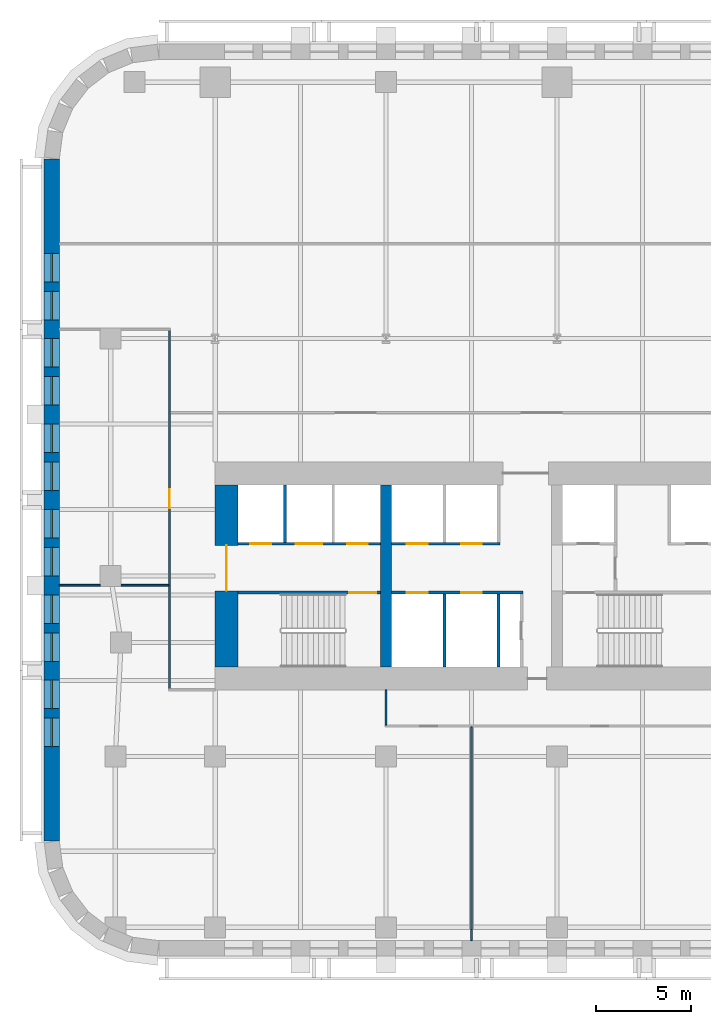
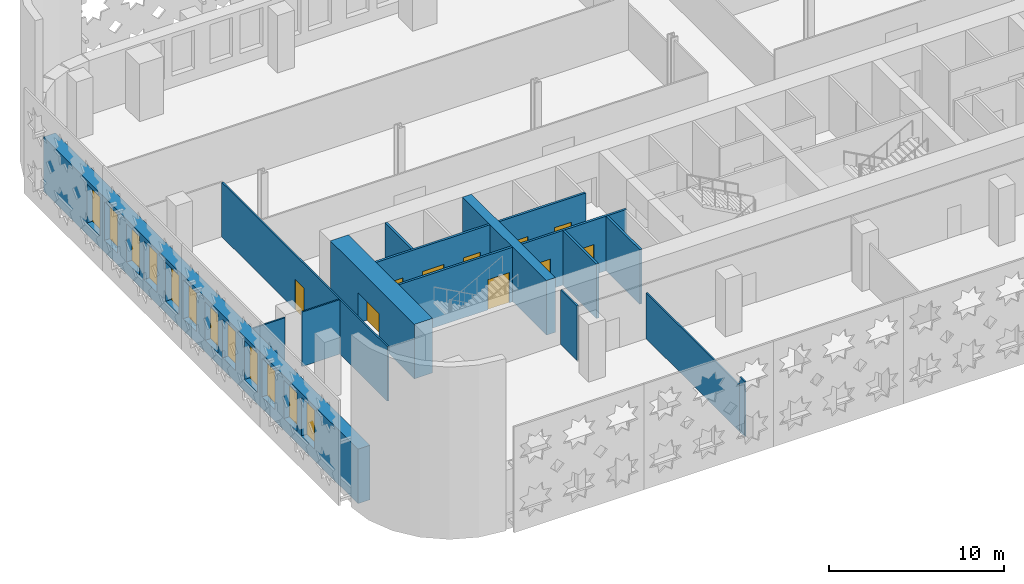
# One storey, part 3 of 15: 16 walls, 12 windows, 10 doors, 22 openings.
"""IFC4 building model written with IfcOpenShell, lengths in metres."""

from ifc_helpers import new_model, si_unit, direction, frame, frame_2d, origin, place, context, subcontext, project, spatial, rectangle, extrude, material, layer, layer_set, type_object, element, fill, save


model = new_model("IFC4")

# Units and contexts
model_context = context("Model", 3, precision=1e-05, world=origin(), true_north=direction((0.0, 1.0)))
body_context = subcontext(model_context, "Body", "Model", "MODEL_VIEW")
ifc_project = project(units=[si_unit("LENGTHUNIT", "METRE"), si_unit("AREAUNIT", "SQUARE_METRE"), si_unit("VOLUMEUNIT", "CUBIC_METRE"), si_unit("PLANEANGLEUNIT", "RADIAN"), si_unit("MASSUNIT", "GRAM", prefix="KILO")], contexts=[model_context])

# Site, building, storey
site_placement = place(None, origin())
site = spatial("IfcSite", under=ifc_project, at=site_placement, CompositionType="ELEMENT")
building_placement = place(site_placement, origin())
building = spatial("IfcBuilding", under=site, at=building_placement, Name="Zellij Exchange Tower", CompositionType="ELEMENT")
storey_placement = place(building_placement, frame((0.0, 0.0, 76.5)))
storey = spatial("IfcBuildingStorey", under=building, at=storey_placement, Name="L15", CompositionType="ELEMENT", Elevation=76.5)

# Walls
ifc_material_1 = material(Name="Concrete C70/85", Category="concrete")
ifc_layer_1 = layer(ifc_material_1, 0.60009765625)
ifc_layer_set_1 = layer_set([ifc_layer_1], Name="Concrete C70/85")
wall_type_1 = type_object("IfcWallType", Name="CORE-CW 600 C70/85", PredefinedType="SHEAR", material=ifc_layer_set_1)
wall_1_placement = place(storey_placement, frame((-18.0, -12.800048828125, 0.0), z_axis=(0.0, 0.0, 1.0), x_axis=(0.0, 1.0, 0.0)))
element("IfcWall", 1, at=wall_1_placement, inside=storey, type_object=wall_type_1, Name="Core cross wall x -18 L15", PredefinedType="SHEAR", context=body_context, shape_type="SweptSolid", body=[
    extrude(rectangle(XDim=9.60009765625, YDim=0.60009765625, at=frame_2d((4.800048828125, 0.0))), origin(), (0.0, 0.0, 1.0), 3.800048828125),
])
ifc_material_2 = material(Name="Gypsum shaft wall system")
ifc_layer_2 = layer(ifc_material_2, 0.14990234375)
ifc_layer_set_2 = layer_set([ifc_layer_2], Name="Gypsum shaft wall system")
wall_type_2 = type_object("IfcWallType", Name="CORE-PW 150 Lift shaft wall", PredefinedType="PARTITIONING", material=ifc_layer_set_2)
wall_2_placement = place(storey_placement, frame((-23.324951171875, -6.22509765625, 0.0), z_axis=(0.0, 0.0, 1.0), x_axis=(0.0, 1.0, 0.0)))
element("IfcWall", 2, at=wall_2_placement, inside=storey, type_object=wall_type_2, Name="Lift shaft wall L15", PredefinedType="PARTITIONING", context=body_context, shape_type="SweptSolid", body=[
    extrude(rectangle(XDim=3.025146484375, YDim=0.14990234375, at=frame_2d((1.5126953125, 0.0))), origin(), (0.0, 0.0, 1.0), 3.800048828125),
])
for number, where, z_axis, x_axis, name in (
    (3, (-12.074951171875, -12.800048828125, 0.0), (0.0, 0.0, 1.0), (0.0, 1.0, 0.0), "Lift shaft wall L15"),
    (4, (-14.925048828125, -12.800048828125, 0.0), (0.0, 0.0, 1.0), (0.0, 1.0, 0.0), "Lift shaft wall L15"),
):
    element("IfcWall", number, at=place(storey_placement, frame(where, z_axis=z_axis, x_axis=x_axis)), inside=storey, type_object=wall_type_2, Name=name, PredefinedType="PARTITIONING", context=body_context, shape_type="SweptSolid", body=[
        extrude(rectangle(XDim=3.85009765625, YDim=0.14990234375, at=frame_2d((1.925048828125, 0.0))), origin(), (0.0, 0.0, 1.0), 3.800048828125),
    ])

# Wall, openings, doors
wall_3_placement = place(storey_placement, frame((-25.800048828125, -6.300048828125, 0.0), z_axis=(0.0, 0.0, 1.0), x_axis=(1.0, 0.0, 0.0)))
wall_3 = element("IfcWall", 5, at=wall_3_placement, inside=storey, type_object=wall_type_2, Name="Lift shaft wall L15", PredefinedType="PARTITIONING", context=body_context, shape_type="SweptSolid", body=[
    extrude(rectangle(XDim=7.5, YDim=0.14990234375, at=frame_2d((3.75, 0.0))), origin(), (0.0, 0.0, 1.0), 3.800048828125),
])
opening_1_placement = place(wall_3_placement, frame((0.64990234375, 0.0, 0.0)))
opening_1 = element("IfcOpeningElement", 6, at=opening_1_placement, cuts=wall_3, Name="Opening CA-09.02", PredefinedType="OPENING", context=body_context, shape_type="SweptSolid", body=[
    extrude(rectangle(XDim=1.10009765625, YDim=2.10009765625, at=frame_2d((0.550048828125, 1.050048828125))), frame((0.0, 0.0869140625, 0.0), z_axis=(0.0, -1.0, 0.0), x_axis=(1.0, 0.0, 0.0)), (0.0, 0.0, 1.0), 0.173828125),
])
opening_2_placement = place(wall_3_placement, frame((3.050048828125, 0.0, 0.0)))
opening_2 = element("IfcOpeningElement", 7, at=opening_2_placement, cuts=wall_3, Name="Opening CA-09.03", PredefinedType="OPENING", context=body_context, shape_type="SweptSolid", body=[
    extrude(rectangle(XDim=1.39990234375, YDim=2.10009765625, at=frame_2d((0.699951171875, 1.050048828125))), frame((0.0, 0.0869140625, 0.0), z_axis=(0.0, -1.0, 0.0), x_axis=(1.0, 0.0, 0.0)), (0.0, 0.0, 1.0), 0.173828125),
])
opening_3_placement = place(wall_3_placement, frame((5.75, 0.0, 0.0)))
opening_3 = element("IfcOpeningElement", 8, at=opening_3_placement, cuts=wall_3, Name="Opening CA-09.04", PredefinedType="OPENING", context=body_context, shape_type="SweptSolid", body=[
    extrude(rectangle(XDim=1.10009765625, YDim=2.10009765625, at=frame_2d((0.550048828125, 1.050048828125))), frame((0.0, 0.0869140625, 0.0), z_axis=(0.0, -1.0, 0.0), x_axis=(1.0, 0.0, 0.0)), (0.0, 0.0, 1.0), 0.173828125),
])
ifc_material_3 = material(Name="Hollow metal fire door")
door_type_1 = type_object("IfcDoorType", Name="CORE-D LD Lift landing door 1100x2100 1.5 HR", OperationType="NOTDEFINED", PredefinedType="DOOR", material=ifc_material_3)
door_1_placement = place(opening_1_placement, origin())
door_1 = element("IfcDoor", 9, at=door_1_placement, inside=storey, type_object=door_type_1, Name="Lift landing door CA-09.02", OperationType="SLIDING_TO_RIGHT", OverallHeight=2.10009765625, OverallWidth=1.10009765625, PredefinedType="DOOR", context=body_context, shape_type="SweptSolid", body=[
    extrude(rectangle(XDim=1.10009765625, YDim=2.10009765625, at=frame_2d((0.550048828125, 1.050048828125))), frame((0.0, 0.02490234375, 0.0), z_axis=(0.0, -1.0, 0.0), x_axis=(1.0, 0.0, 0.0)), (0.0, 0.0, 1.0), 0.050048828125),
])
fill(opening_1, door_1)
door_2_placement = place(opening_3_placement, origin())
door_2 = element("IfcDoor", 10, at=door_2_placement, inside=storey, type_object=door_type_1, Name="Lift landing door CA-09.04", OperationType="SLIDING_TO_RIGHT", OverallHeight=2.10009765625, OverallWidth=1.10009765625, PredefinedType="DOOR", context=body_context, shape_type="SweptSolid", body=[
    extrude(rectangle(XDim=1.10009765625, YDim=2.10009765625, at=frame_2d((0.550048828125, 1.050048828125))), frame((0.0, 0.02490234375, 0.0), z_axis=(0.0, -1.0, 0.0), x_axis=(1.0, 0.0, 0.0)), (0.0, 0.0, 1.0), 0.050048828125),
])
fill(opening_3, door_2)
door_type_2 = type_object("IfcDoorType", Name="CORE-D LD2 Service lift landing door 1400x2100 1.5 HR", OperationType="NOTDEFINED", PredefinedType="DOOR", material=ifc_material_3)
door_3_placement = place(opening_2_placement, origin())
door_3 = element("IfcDoor", 11, at=door_3_placement, inside=storey, type_object=door_type_2, Name="Service lift landing door CA-09.03", OperationType="SLIDING_TO_LEFT", OverallHeight=2.10009765625, OverallWidth=1.39990234375, PredefinedType="DOOR", context=body_context, shape_type="SweptSolid", body=[
    extrude(rectangle(XDim=1.39990234375, YDim=2.10009765625, at=frame_2d((0.699951171875, 1.050048828125))), frame((0.0, 0.02490234375, 0.0), z_axis=(0.0, -1.0, 0.0), x_axis=(1.0, 0.0, 0.0)), (0.0, 0.0, 1.0), 0.050048828125),
])
fill(opening_2, door_3)

wall_4_placement = place(storey_placement, frame((-17.699951171875, -6.300048828125, 0.0), z_axis=(0.0, 0.0, 1.0), x_axis=(1.0, 0.0, 0.0)))
wall_4 = element("IfcWall", 12, at=wall_4_placement, inside=storey, type_object=wall_type_2, Name="Lift shaft wall L15", PredefinedType="PARTITIONING", context=body_context, shape_type="SweptSolid", body=[
    extrude(rectangle(XDim=5.699951171875, YDim=0.14990234375, at=frame_2d((2.85009765625, 0.0))), origin(), (0.0, 0.0, 1.0), 3.800048828125),
])
opening_4_placement = place(wall_4_placement, frame((0.800048828125, 0.0, 0.0)))
opening_4 = element("IfcOpeningElement", 13, at=opening_4_placement, cuts=wall_4, Name="Opening CA-09.07", PredefinedType="OPENING", context=body_context, shape_type="SweptSolid", body=[
    extrude(rectangle(XDim=1.10009765625, YDim=2.10009765625, at=frame_2d((0.550048828125, 1.050048828125))), frame((0.0, 0.0869140625, 0.0), z_axis=(0.0, -1.0, 0.0), x_axis=(1.0, 0.0, 0.0)), (0.0, 0.0, 1.0), 0.173828125),
])
opening_5_placement = place(wall_4_placement, frame((3.64990234375, 0.0, 0.0)))
opening_5 = element("IfcOpeningElement", 14, at=opening_5_placement, cuts=wall_4, Name="Opening CA-09.09", PredefinedType="OPENING", context=body_context, shape_type="SweptSolid", body=[
    extrude(rectangle(XDim=1.10009765625, YDim=2.10009765625, at=frame_2d((0.550048828125, 1.050048828125))), frame((0.0, 0.0869140625, 0.0), z_axis=(0.0, -1.0, 0.0), x_axis=(1.0, 0.0, 0.0)), (0.0, 0.0, 1.0), 0.173828125),
])
door_4_placement = place(opening_4_placement, origin())
door_4 = element("IfcDoor", 15, at=door_4_placement, inside=storey, type_object=door_type_1, Name="Lift landing door CA-09.07", OperationType="SLIDING_TO_LEFT", OverallHeight=2.10009765625, OverallWidth=1.10009765625, PredefinedType="DOOR", context=body_context, shape_type="SweptSolid", body=[
    extrude(rectangle(XDim=1.10009765625, YDim=2.10009765625, at=frame_2d((0.550048828125, 1.050048828125))), frame((0.0, 0.02490234375, 0.0), z_axis=(0.0, -1.0, 0.0), x_axis=(1.0, 0.0, 0.0)), (0.0, 0.0, 1.0), 0.050048828125),
])
fill(opening_4, door_4)
door_5_placement = place(opening_5_placement, origin())
door_5 = element("IfcDoor", 16, at=door_5_placement, inside=storey, type_object=door_type_1, Name="Lift landing door CA-09.09", OperationType="SLIDING_TO_LEFT", OverallHeight=2.10009765625, OverallWidth=1.10009765625, PredefinedType="DOOR", context=body_context, shape_type="SweptSolid", body=[
    extrude(rectangle(XDim=1.10009765625, YDim=2.10009765625, at=frame_2d((0.550048828125, 1.050048828125))), frame((0.0, 0.02490234375, 0.0), z_axis=(0.0, -1.0, 0.0), x_axis=(1.0, 0.0, 0.0)), (0.0, 0.0, 1.0), 0.050048828125),
])
fill(opening_5, door_5)

wall_5_placement = place(storey_placement, frame((-17.699951171875, -8.875, 0.0), z_axis=(0.0, 0.0, 1.0), x_axis=(1.0, 0.0, 0.0)))
wall_5 = element("IfcWall", 17, at=wall_5_placement, inside=storey, type_object=wall_type_2, Name="Lift shaft wall L15", PredefinedType="PARTITIONING", context=body_context, shape_type="SweptSolid", body=[
    extrude(rectangle(XDim=6.89990234375, YDim=0.14990234375, at=frame_2d((3.449951171875, 0.0))), origin(), (0.0, 0.0, 1.0), 3.800048828125),
])
opening_6_placement = place(wall_5_placement, frame((0.800048828125, 0.0, 0.0)))
opening_6 = element("IfcOpeningElement", 18, at=opening_6_placement, cuts=wall_5, Name="Opening CA-09.06", PredefinedType="OPENING", context=body_context, shape_type="SweptSolid", body=[
    extrude(rectangle(XDim=1.10009765625, YDim=2.10009765625, at=frame_2d((0.550048828125, 1.050048828125))), frame((0.0, 0.0869140625, 0.0), z_axis=(0.0, -1.0, 0.0), x_axis=(1.0, 0.0, 0.0)), (0.0, 0.0, 1.0), 0.173828125),
])
opening_7_placement = place(wall_5_placement, frame((3.64990234375, 0.0, 0.0)))
opening_7 = element("IfcOpeningElement", 19, at=opening_7_placement, cuts=wall_5, Name="Opening CA-09.08", PredefinedType="OPENING", context=body_context, shape_type="SweptSolid", body=[
    extrude(rectangle(XDim=1.10009765625, YDim=2.10009765625, at=frame_2d((0.550048828125, 1.050048828125))), frame((0.0, 0.0869140625, 0.0), z_axis=(0.0, -1.0, 0.0), x_axis=(1.0, 0.0, 0.0)), (0.0, 0.0, 1.0), 0.173828125),
])
door_6_placement = place(opening_6_placement, origin())
door_6 = element("IfcDoor", 20, at=door_6_placement, inside=storey, type_object=door_type_1, Name="Lift landing door CA-09.06", OperationType="SLIDING_TO_RIGHT", OverallHeight=2.10009765625, OverallWidth=1.10009765625, PredefinedType="DOOR", context=body_context, shape_type="SweptSolid", body=[
    extrude(rectangle(XDim=1.10009765625, YDim=2.10009765625, at=frame_2d((0.550048828125, 1.050048828125))), frame((0.0, 0.02490234375, 0.0), z_axis=(0.0, -1.0, 0.0), x_axis=(1.0, 0.0, 0.0)), (0.0, 0.0, 1.0), 0.050048828125),
])
fill(opening_6, door_6)
door_7_placement = place(opening_7_placement, origin())
door_7 = element("IfcDoor", 21, at=door_7_placement, inside=storey, type_object=door_type_1, Name="Lift landing door CA-09.08", OperationType="SLIDING_TO_RIGHT", OverallHeight=2.10009765625, OverallWidth=1.10009765625, PredefinedType="DOOR", context=body_context, shape_type="SweptSolid", body=[
    extrude(rectangle(XDim=1.10009765625, YDim=2.10009765625, at=frame_2d((0.550048828125, 1.050048828125))), frame((0.0, 0.02490234375, 0.0), z_axis=(0.0, -1.0, 0.0), x_axis=(1.0, 0.0, 0.0)), (0.0, 0.0, 1.0), 0.050048828125),
])
fill(opening_7, door_7)

# Wall, opening, door
ifc_layer_3 = layer(ifc_material_1, 1.199951171875)
ifc_layer_set_3 = layer_set([ifc_layer_3], Name="Concrete C70/85")
wall_type_3 = type_object("IfcWallType", Name="CORE-SW 1200 C70/85", PredefinedType="SHEAR", material=ifc_layer_set_3)
wall_6_placement = place(storey_placement, frame((-26.39990234375, -12.800048828125, 0.0), z_axis=(0.0, 0.0, 1.0), x_axis=(0.0, 1.0, 0.0)))
wall_6 = element("IfcWall", 22, at=wall_6_placement, inside=storey, type_object=wall_type_3, Name="Core shear wall end w L15", PredefinedType="SHEAR", context=body_context, shape_type="SweptSolid", body=[
    extrude(rectangle(XDim=9.60009765625, YDim=1.199951171875, at=frame_2d((4.800048828125, 0.0))), origin(), (0.0, 0.0, 1.0), 3.800048828125),
])
opening_8_placement = place(wall_6_placement, frame((4.011962890625, 0.0, 0.0)))
opening_8 = element("IfcOpeningElement", 23, at=opening_8_placement, cuts=wall_6, Name="Opening CA-09.01", PredefinedType="OPENING", context=body_context, shape_type="SweptSolid", body=[
    extrude(rectangle(XDim=2.39990234375, YDim=2.10009765625, at=frame_2d((1.199951171875, 1.050048828125))), frame((0.0, 0.61181640625, 0.0), z_axis=(0.0, -1.0, 0.0), x_axis=(1.0, 0.0, 0.0)), (0.0, 0.0, 1.0), 1.223876953125),
])
door_type_3 = type_object("IfcDoorType", Name="CORE-D CE Core entrance door 2400x2100 20 MIN", OperationType="NOTDEFINED", PredefinedType="DOOR", material=ifc_material_3)
door_8_placement = place(opening_8_placement, origin())
door_8 = element("IfcDoor", 24, at=door_8_placement, inside=storey, type_object=door_type_3, Name="Core entrance door CA-09.01", OperationType="DOUBLE_DOOR_SINGLE_SWING", OverallHeight=2.10009765625, OverallWidth=2.39990234375, PredefinedType="DOOR", context=body_context, shape_type="SweptSolid", body=[
    extrude(rectangle(XDim=2.39990234375, YDim=2.10009765625, at=frame_2d((1.199951171875, 1.050048828125))), frame((0.0, 0.02490234375, 0.0), z_axis=(0.0, -1.0, 0.0), x_axis=(1.0, 0.0, 0.0)), (0.0, 0.0, 1.0), 0.050048828125),
])
fill(opening_8, door_8)

ifc_layer_4 = layer(ifc_material_1, 0.14990234375)
ifc_layer_set_4 = layer_set([ifc_layer_4], Name="Concrete C70/85")
wall_type_4 = type_object("IfcWallType", Name="CORE-SWS 150 C70/85", PredefinedType="SHEAR", material=ifc_layer_set_4)
wall_7_placement = place(storey_placement, frame((-25.800048828125, -8.875, 0.0), z_axis=(0.0, 0.0, 1.0), x_axis=(1.0, 0.0, 0.0)))
wall_7 = element("IfcWall", 25, at=wall_7_placement, inside=storey, type_object=wall_type_4, Name="Stair enclosure wall L15", PredefinedType="SHEAR", context=body_context, shape_type="SweptSolid", body=[
    extrude(rectangle(XDim=7.5, YDim=0.14990234375, at=frame_2d((3.75, 0.0))), origin(), (0.0, 0.0, 1.0), 3.800048828125),
])
opening_9_placement = place(wall_7_placement, frame((5.875, 0.0, 0.0)))
opening_9 = element("IfcOpeningElement", 26, at=opening_9_placement, cuts=wall_7, Name="Opening CA-09.05", PredefinedType="OPENING", context=body_context, shape_type="SweptSolid", body=[
    extrude(rectangle(XDim=1.39990234375, YDim=2.10009765625, at=frame_2d((0.699951171875, 1.050048828125))), frame((0.0, 0.0869140625, 0.0), z_axis=(0.0, -1.0, 0.0), x_axis=(1.0, 0.0, 0.0)), (0.0, 0.0, 1.0), 0.173828125),
])
door_type_4 = type_object("IfcDoorType", Name="CORE-D SD Stair door 1400x2100 1.5 HR", OperationType="NOTDEFINED", PredefinedType="DOOR", material=ifc_material_3)
door_9_placement = place(opening_9_placement, origin())
door_9 = element("IfcDoor", 27, at=door_9_placement, inside=storey, type_object=door_type_4, Name="Stair door CA-09.05", OperationType="DOUBLE_DOOR_SINGLE_SWING", OverallHeight=2.10009765625, OverallWidth=1.39990234375, PredefinedType="DOOR", context=body_context, shape_type="SweptSolid", body=[
    extrude(rectangle(XDim=1.39990234375, YDim=2.10009765625, at=frame_2d((0.699951171875, 1.050048828125))), frame((0.0, 0.02490234375, 0.0), z_axis=(0.0, -1.0, 0.0), x_axis=(1.0, 0.0, 0.0)), (0.0, 0.0, 1.0), 0.050048828125),
])
fill(opening_9, door_9)

# Wall, openings, windows
ifc_material_4 = material(Name="Precast concrete C40/50", Category="concrete")
ifc_layer_5 = layer(ifc_material_4, 0.800048828125)
ifc_layer_set_5 = layer_set([ifc_layer_5], Name="Precast concrete C40/50")
wall_type_5 = type_object("IfcWallType", Name="ENV-EW1 Precast stone-piered wall 800", PredefinedType="SOLIDWALL", material=ifc_layer_set_5)
wall_8_placement = place(storey_placement, frame((-35.60009765625, 13.947509765625, 0.0), z_axis=(0.0, 0.0, 1.0), x_axis=(0.0, -1.0, 0.0)))
wall_8 = element("IfcWall", 28, at=wall_8_placement, inside=storey, type_object=wall_type_5, Name="fac.L15.21", PredefinedType="SOLIDWALL", context=body_context, shape_type="SweptSolid", body=[
    extrude(rectangle(XDim=35.89501953125, YDim=0.800048828125, at=frame_2d((17.947509765625, 0.0))), origin(), (0.0, 0.0, 1.0), 3.800048828125),
])
opening_10_placement = place(wall_8_placement, frame((4.9638671875, 0.0, 0.800048828125)))
opening_10 = element("IfcOpeningElement", 29, at=opening_10_placement, cuts=wall_8, Name="Opening FZ1.61", PredefinedType="OPENING", context=body_context, shape_type="SweptSolid", body=[
    extrude(rectangle(XDim=1.5, YDim=2.699951171875, at=frame_2d((0.75, 1.35009765625))), frame((0.0, 0.412109375, 0.0), z_axis=(0.0, -1.0, 0.0), x_axis=(1.0, 0.0, 0.0)), (0.0, 0.0, 1.0), 0.823974609375),
])
opening_11_placement = place(wall_8_placement, frame((6.9638671875, 0.0, 0.800048828125)))
opening_11 = element("IfcOpeningElement", 30, at=opening_11_placement, cuts=wall_8, Name="Opening FZ1.62", PredefinedType="OPENING", context=body_context, shape_type="SweptSolid", body=[
    extrude(rectangle(XDim=1.5, YDim=2.699951171875, at=frame_2d((0.75, 1.35009765625))), frame((0.0, 0.412109375, 0.0), z_axis=(0.0, -1.0, 0.0), x_axis=(1.0, 0.0, 0.0)), (0.0, 0.0, 1.0), 0.823974609375),
])
opening_12_placement = place(wall_8_placement, frame((9.45751953125, 0.0, 0.800048828125)))
opening_12 = element("IfcOpeningElement", 31, at=opening_12_placement, cuts=wall_8, Name="Opening FZ1.63", PredefinedType="OPENING", context=body_context, shape_type="SweptSolid", body=[
    extrude(rectangle(XDim=1.5, YDim=2.699951171875, at=frame_2d((0.75, 1.35009765625))), frame((0.0, 0.412109375, 0.0), z_axis=(0.0, -1.0, 0.0), x_axis=(1.0, 0.0, 0.0)), (0.0, 0.0, 1.0), 0.823974609375),
])
opening_13_placement = place(wall_8_placement, frame((11.45751953125, 0.0, 0.800048828125)))
opening_13 = element("IfcOpeningElement", 32, at=opening_13_placement, cuts=wall_8, Name="Opening FZ1.64", PredefinedType="OPENING", context=body_context, shape_type="SweptSolid", body=[
    extrude(rectangle(XDim=1.5, YDim=2.699951171875, at=frame_2d((0.75, 1.35009765625))), frame((0.0, 0.412109375, 0.0), z_axis=(0.0, -1.0, 0.0), x_axis=(1.0, 0.0, 0.0)), (0.0, 0.0, 1.0), 0.823974609375),
])
opening_14_placement = place(wall_8_placement, frame((13.950927734375, 0.0, 0.800048828125)))
opening_14 = element("IfcOpeningElement", 33, at=opening_14_placement, cuts=wall_8, Name="Opening FZ1.65", PredefinedType="OPENING", context=body_context, shape_type="SweptSolid", body=[
    extrude(rectangle(XDim=1.5, YDim=2.699951171875, at=frame_2d((0.75, 1.35009765625))), frame((0.0, 0.412109375, 0.0), z_axis=(0.0, -1.0, 0.0), x_axis=(1.0, 0.0, 0.0)), (0.0, 0.0, 1.0), 0.823974609375),
])
opening_15_placement = place(wall_8_placement, frame((15.95068359375, 0.0, 0.800048828125)))
opening_15 = element("IfcOpeningElement", 34, at=opening_15_placement, cuts=wall_8, Name="Opening FZ1.66", PredefinedType="OPENING", context=body_context, shape_type="SweptSolid", body=[
    extrude(rectangle(XDim=1.5, YDim=2.699951171875, at=frame_2d((0.75, 1.35009765625))), frame((0.0, 0.412109375, 0.0), z_axis=(0.0, -1.0, 0.0), x_axis=(1.0, 0.0, 0.0)), (0.0, 0.0, 1.0), 0.823974609375),
])
opening_16_placement = place(wall_8_placement, frame((18.4443359375, 0.0, 0.800048828125)))
opening_16 = element("IfcOpeningElement", 35, at=opening_16_placement, cuts=wall_8, Name="Opening FZ1.67", PredefinedType="OPENING", context=body_context, shape_type="SweptSolid", body=[
    extrude(rectangle(XDim=1.5, YDim=2.699951171875, at=frame_2d((0.75, 1.35009765625))), frame((0.0, 0.412109375, 0.0), z_axis=(0.0, -1.0, 0.0), x_axis=(1.0, 0.0, 0.0)), (0.0, 0.0, 1.0), 0.823974609375),
])
opening_17_placement = place(wall_8_placement, frame((20.4443359375, 0.0, 0.800048828125)))
opening_17 = element("IfcOpeningElement", 36, at=opening_17_placement, cuts=wall_8, Name="Opening FZ1.68", PredefinedType="OPENING", context=body_context, shape_type="SweptSolid", body=[
    extrude(rectangle(XDim=1.5, YDim=2.699951171875, at=frame_2d((0.75, 1.35009765625))), frame((0.0, 0.412109375, 0.0), z_axis=(0.0, -1.0, 0.0), x_axis=(1.0, 0.0, 0.0)), (0.0, 0.0, 1.0), 0.823974609375),
])
opening_18_placement = place(wall_8_placement, frame((22.937744140625, 0.0, 0.800048828125)))
opening_18 = element("IfcOpeningElement", 37, at=opening_18_placement, cuts=wall_8, Name="Opening FZ1.69", PredefinedType="OPENING", context=body_context, shape_type="SweptSolid", body=[
    extrude(rectangle(XDim=1.5, YDim=2.699951171875, at=frame_2d((0.75, 1.35009765625))), frame((0.0, 0.412109375, 0.0), z_axis=(0.0, -1.0, 0.0), x_axis=(1.0, 0.0, 0.0)), (0.0, 0.0, 1.0), 0.823974609375),
])
opening_19_placement = place(wall_8_placement, frame((24.937744140625, 0.0, 0.800048828125)))
opening_19 = element("IfcOpeningElement", 38, at=opening_19_placement, cuts=wall_8, Name="Opening FZ1.70", PredefinedType="OPENING", context=body_context, shape_type="SweptSolid", body=[
    extrude(rectangle(XDim=1.5, YDim=2.699951171875, at=frame_2d((0.75, 1.35009765625))), frame((0.0, 0.412109375, 0.0), z_axis=(0.0, -1.0, 0.0), x_axis=(1.0, 0.0, 0.0)), (0.0, 0.0, 1.0), 0.823974609375),
])
opening_20_placement = place(wall_8_placement, frame((27.43115234375, 0.0, 0.800048828125)))
opening_20 = element("IfcOpeningElement", 39, at=opening_20_placement, cuts=wall_8, Name="Opening FZ1.71", PredefinedType="OPENING", context=body_context, shape_type="SweptSolid", body=[
    extrude(rectangle(XDim=1.5, YDim=2.699951171875, at=frame_2d((0.75, 1.35009765625))), frame((0.0, 0.412109375, 0.0), z_axis=(0.0, -1.0, 0.0), x_axis=(1.0, 0.0, 0.0)), (0.0, 0.0, 1.0), 0.823974609375),
])
opening_21_placement = place(wall_8_placement, frame((29.43115234375, 0.0, 0.800048828125)))
opening_21 = element("IfcOpeningElement", 40, at=opening_21_placement, cuts=wall_8, Name="Opening FZ1.72", PredefinedType="OPENING", context=body_context, shape_type="SweptSolid", body=[
    extrude(rectangle(XDim=1.5, YDim=2.699951171875, at=frame_2d((0.75, 1.35009765625))), frame((0.0, 0.412109375, 0.0), z_axis=(0.0, -1.0, 0.0), x_axis=(1.0, 0.0, 0.0)), (0.0, 0.0, 1.0), 0.823974609375),
])
ifc_material_5 = material(Name="Aluminium frame with insulating glass", Category="aluminium")
window_type = type_object("IfcWindowType", Name="ENV-W6 Window 1500x2700", PartitioningType="SINGLE_PANEL", PredefinedType="WINDOW", material=ifc_material_5)
window_1_placement = place(opening_10_placement, origin())
window_1 = element("IfcWindow", 41, at=window_1_placement, inside=storey, type_object=window_type, Name="Window FZ1.61", OverallHeight=2.699951171875, OverallWidth=1.5, PartitioningType="SINGLE_PANEL", PredefinedType="WINDOW", context=body_context, shape_type="SweptSolid", body=[
    extrude(rectangle(XDim=1.5, YDim=2.699951171875, at=frame_2d((0.75, 1.35009765625))), frame((0.0, 0.030029296875, 0.0), z_axis=(0.0, -1.0, 0.0), x_axis=(1.0, 0.0, 0.0)), (0.0, 0.0, 1.0), 0.06005859375),
])
fill(opening_10, window_1)
window_2_placement = place(opening_11_placement, origin())
window_2 = element("IfcWindow", 42, at=window_2_placement, inside=storey, type_object=window_type, Name="Window FZ1.62", OverallHeight=2.699951171875, OverallWidth=1.5, PartitioningType="SINGLE_PANEL", PredefinedType="WINDOW", context=body_context, shape_type="SweptSolid", body=[
    extrude(rectangle(XDim=1.5, YDim=2.699951171875, at=frame_2d((0.75, 1.35009765625))), frame((0.0, 0.030029296875, 0.0), z_axis=(0.0, -1.0, 0.0), x_axis=(1.0, 0.0, 0.0)), (0.0, 0.0, 1.0), 0.06005859375),
])
fill(opening_11, window_2)
window_3_placement = place(opening_12_placement, origin())
window_3 = element("IfcWindow", 43, at=window_3_placement, inside=storey, type_object=window_type, Name="Window FZ1.63", OverallHeight=2.699951171875, OverallWidth=1.5, PartitioningType="SINGLE_PANEL", PredefinedType="WINDOW", context=body_context, shape_type="SweptSolid", body=[
    extrude(rectangle(XDim=1.5, YDim=2.699951171875, at=frame_2d((0.75, 1.35009765625))), frame((0.0, 0.030029296875, 0.0), z_axis=(0.0, -1.0, 0.0), x_axis=(1.0, 0.0, 0.0)), (0.0, 0.0, 1.0), 0.06005859375),
])
fill(opening_12, window_3)
window_4_placement = place(opening_13_placement, origin())
window_4 = element("IfcWindow", 44, at=window_4_placement, inside=storey, type_object=window_type, Name="Window FZ1.64", OverallHeight=2.699951171875, OverallWidth=1.5, PartitioningType="SINGLE_PANEL", PredefinedType="WINDOW", context=body_context, shape_type="SweptSolid", body=[
    extrude(rectangle(XDim=1.5, YDim=2.699951171875, at=frame_2d((0.75, 1.35009765625))), frame((0.0, 0.030029296875, 0.0), z_axis=(0.0, -1.0, 0.0), x_axis=(1.0, 0.0, 0.0)), (0.0, 0.0, 1.0), 0.06005859375),
])
fill(opening_13, window_4)
window_5_placement = place(opening_14_placement, origin())
window_5 = element("IfcWindow", 45, at=window_5_placement, inside=storey, type_object=window_type, Name="Window FZ1.65", OverallHeight=2.699951171875, OverallWidth=1.5, PartitioningType="SINGLE_PANEL", PredefinedType="WINDOW", context=body_context, shape_type="SweptSolid", body=[
    extrude(rectangle(XDim=1.5, YDim=2.699951171875, at=frame_2d((0.75, 1.35009765625))), frame((0.0, 0.030029296875, 0.0), z_axis=(0.0, -1.0, 0.0), x_axis=(1.0, 0.0, 0.0)), (0.0, 0.0, 1.0), 0.06005859375),
])
fill(opening_14, window_5)
window_6_placement = place(opening_15_placement, origin())
window_6 = element("IfcWindow", 46, at=window_6_placement, inside=storey, type_object=window_type, Name="Window FZ1.66", OverallHeight=2.699951171875, OverallWidth=1.5, PartitioningType="SINGLE_PANEL", PredefinedType="WINDOW", context=body_context, shape_type="SweptSolid", body=[
    extrude(rectangle(XDim=1.5, YDim=2.699951171875, at=frame_2d((0.75, 1.35009765625))), frame((0.0, 0.030029296875, 0.0), z_axis=(0.0, -1.0, 0.0), x_axis=(1.0, 0.0, 0.0)), (0.0, 0.0, 1.0), 0.06005859375),
])
fill(opening_15, window_6)
window_7_placement = place(opening_16_placement, origin())
window_7 = element("IfcWindow", 47, at=window_7_placement, inside=storey, type_object=window_type, Name="Window FZ1.67", OverallHeight=2.699951171875, OverallWidth=1.5, PartitioningType="SINGLE_PANEL", PredefinedType="WINDOW", context=body_context, shape_type="SweptSolid", body=[
    extrude(rectangle(XDim=1.5, YDim=2.699951171875, at=frame_2d((0.75, 1.35009765625))), frame((0.0, 0.030029296875, 0.0), z_axis=(0.0, -1.0, 0.0), x_axis=(1.0, 0.0, 0.0)), (0.0, 0.0, 1.0), 0.06005859375),
])
fill(opening_16, window_7)
window_8_placement = place(opening_17_placement, origin())
window_8 = element("IfcWindow", 48, at=window_8_placement, inside=storey, type_object=window_type, Name="Window FZ1.68", OverallHeight=2.699951171875, OverallWidth=1.5, PartitioningType="SINGLE_PANEL", PredefinedType="WINDOW", context=body_context, shape_type="SweptSolid", body=[
    extrude(rectangle(XDim=1.5, YDim=2.699951171875, at=frame_2d((0.75, 1.35009765625))), frame((0.0, 0.030029296875, 0.0), z_axis=(0.0, -1.0, 0.0), x_axis=(1.0, 0.0, 0.0)), (0.0, 0.0, 1.0), 0.06005859375),
])
fill(opening_17, window_8)
window_9_placement = place(opening_18_placement, origin())
window_9 = element("IfcWindow", 49, at=window_9_placement, inside=storey, type_object=window_type, Name="Window FZ1.69", OverallHeight=2.699951171875, OverallWidth=1.5, PartitioningType="SINGLE_PANEL", PredefinedType="WINDOW", context=body_context, shape_type="SweptSolid", body=[
    extrude(rectangle(XDim=1.5, YDim=2.699951171875, at=frame_2d((0.75, 1.35009765625))), frame((0.0, 0.030029296875, 0.0), z_axis=(0.0, -1.0, 0.0), x_axis=(1.0, 0.0, 0.0)), (0.0, 0.0, 1.0), 0.06005859375),
])
fill(opening_18, window_9)
window_10_placement = place(opening_19_placement, origin())
window_10 = element("IfcWindow", 50, at=window_10_placement, inside=storey, type_object=window_type, Name="Window FZ1.70", OverallHeight=2.699951171875, OverallWidth=1.5, PartitioningType="SINGLE_PANEL", PredefinedType="WINDOW", context=body_context, shape_type="SweptSolid", body=[
    extrude(rectangle(XDim=1.5, YDim=2.699951171875, at=frame_2d((0.75, 1.35009765625))), frame((0.0, 0.030029296875, 0.0), z_axis=(0.0, -1.0, 0.0), x_axis=(1.0, 0.0, 0.0)), (0.0, 0.0, 1.0), 0.06005859375),
])
fill(opening_19, window_10)
window_11_placement = place(opening_20_placement, origin())
window_11 = element("IfcWindow", 51, at=window_11_placement, inside=storey, type_object=window_type, Name="Window FZ1.71", OverallHeight=2.699951171875, OverallWidth=1.5, PartitioningType="SINGLE_PANEL", PredefinedType="WINDOW", context=body_context, shape_type="SweptSolid", body=[
    extrude(rectangle(XDim=1.5, YDim=2.699951171875, at=frame_2d((0.75, 1.35009765625))), frame((0.0, 0.030029296875, 0.0), z_axis=(0.0, -1.0, 0.0), x_axis=(1.0, 0.0, 0.0)), (0.0, 0.0, 1.0), 0.06005859375),
])
fill(opening_20, window_11)
window_12_placement = place(opening_21_placement, origin())
window_12 = element("IfcWindow", 52, at=window_12_placement, inside=storey, type_object=window_type, Name="Window FZ1.72", OverallHeight=2.699951171875, OverallWidth=1.5, PartitioningType="SINGLE_PANEL", PredefinedType="WINDOW", context=body_context, shape_type="SweptSolid", body=[
    extrude(rectangle(XDim=1.5, YDim=2.699951171875, at=frame_2d((0.75, 1.35009765625))), frame((0.0, 0.030029296875, 0.0), z_axis=(0.0, -1.0, 0.0), x_axis=(1.0, 0.0, 0.0)), (0.0, 0.0, 1.0), 0.06005859375),
])
fill(opening_21, window_12)

# Walls
ifc_material_6 = material(Name="Gypsum board partition on steel studs", Category="steel")
ifc_layer_6 = layer(ifc_material_6, 0.10009765625)
ifc_layer_set_6 = layer_set([ifc_layer_6], Name="Gypsum board partition on steel studs")
wall_type_6 = type_object("IfcWallType", Name="FIT-PARTITION-100", PredefinedType="PARTITIONING", material=ifc_layer_set_6)
wall_9_placement = place(storey_placement, frame((-13.5, -27.199951171875, 0.0), z_axis=(0.0, 0.0, 1.0), x_axis=(0.0, 1.0, 0.0)))
element("IfcWall", 53, at=wall_9_placement, inside=storey, type_object=wall_type_6, Name="FIT-PARTITION-100 001", PredefinedType="PARTITIONING", context=body_context, shape_type="SweptSolid", body=[
    extrude(rectangle(XDim=0.58544921875, YDim=0.10009765625, at=frame_2d((0.292724609375, 0.0))), origin(), (0.0, 0.0, 1.0), 3.800048828125),
])
wall_10_placement = place(storey_placement, frame((-13.5, -26.614501953125, 0.0), z_axis=(0.0, 0.0, 1.0), x_axis=(0.0, 1.0, 0.0)))
element("IfcWall", 54, at=wall_10_placement, inside=storey, type_object=wall_type_6, Name="FIT-PARTITION-100 002", PredefinedType="PARTITIONING", context=body_context, shape_type="SweptSolid", body=[
    extrude(rectangle(XDim=10.66455078125, YDim=0.10009765625, at=frame_2d((5.332275390625, 0.0))), origin(), (0.0, 0.0, 1.0), 3.197998046875),
])
wall_11_placement = place(storey_placement, frame((-18.0, -15.85009765625, 0.0), z_axis=(0.0, 0.0, 1.0), x_axis=(0.0, 1.0, 0.0)))
element("IfcWall", 55, at=wall_11_placement, inside=storey, type_object=wall_type_6, Name="FIT-PARTITION-100 008", PredefinedType="PARTITIONING", context=body_context, shape_type="SweptSolid", body=[
    extrude(rectangle(XDim=1.85009765625, YDim=0.10009765625, at=frame_2d((0.925048828125, 0.0))), origin(), (0.0, 0.0, 1.0), 3.800048828125),
])

# Wall, opening, door
wall_12_placement = place(storey_placement, frame((-29.39990234375, -13.949951171875, 0.0), z_axis=(0.0, 0.0, 1.0), x_axis=(0.0, 1.0, 0.0)))
wall_12 = element("IfcWall", 56, at=wall_12_placement, inside=storey, type_object=wall_type_6, Name="FIT-PARTITION-100 011", PredefinedType="PARTITIONING", context=body_context, shape_type="SweptSolid", body=[
    extrude(rectangle(XDim=18.889892578125, YDim=0.10009765625, at=frame_2d((9.44482421875, 0.0))), origin(), (0.0, 0.0, 1.0), 3.800048828125),
])
opening_22_placement = place(wall_12_placement, frame((9.510009765625, 0.0, 0.0)))
opening_22 = element("IfcOpeningElement", 57, at=opening_22_placement, cuts=wall_12, Name="Opening TC.06", PredefinedType="OPENING", context=body_context, shape_type="SweptSolid", body=[
    extrude(rectangle(XDim=1.0, YDim=2.10009765625, at=frame_2d((0.5, 1.050048828125))), frame((0.0, 0.06201171875, 0.0), z_axis=(0.0, -1.0, 0.0), x_axis=(1.0, 0.0, 0.0)), (0.0, 0.0, 1.0), 0.1240234375),
])
ifc_material_7 = material(Name="Timber door set", Category="wood")
door_type_5 = type_object("IfcDoorType", Name="FIT-D2-WIDE-1000X2100", OperationType="SINGLE_SWING_LEFT", PredefinedType="DOOR", material=ifc_material_7)
door_10_placement = place(opening_22_placement, origin())
door_10 = element("IfcDoor", 58, at=door_10_placement, inside=storey, type_object=door_type_5, Name="Door TC.06", OperationType="SINGLE_SWING_LEFT", OverallHeight=2.10009765625, OverallWidth=1.0, PredefinedType="DOOR", context=body_context, shape_type="SweptSolid", body=[
    extrude(rectangle(XDim=1.0, YDim=2.10009765625, at=frame_2d((0.5, 1.050048828125))), frame((0.0, 0.02490234375, 0.0), z_axis=(0.0, -1.0, 0.0), x_axis=(1.0, 0.0, 0.0)), (0.0, 0.0, 1.0), 0.050048828125),
])
fill(opening_22, door_10)

# Walls
wall_13_placement = place(storey_placement, frame((-35.199951171875, -8.489990234375, 0.0), z_axis=(0.0, 0.0, 1.0), x_axis=(1.0, 0.0, 0.0)))
element("IfcWall", 59, at=wall_13_placement, inside=storey, type_object=wall_type_6, Name="FIT-PARTITION-100 014", PredefinedType="PARTITIONING", context=body_context, shape_type="SweptSolid", body=[
    extrude(rectangle(XDim=2.14990234375, YDim=0.10009765625, at=frame_2d((1.074951171875, 0.0))), origin(), (0.0, 0.0, 1.0), 3.800048828125),
])
wall_14_placement = place(storey_placement, frame((-31.949951171875, -8.489990234375, 0.0), z_axis=(0.0, 0.0, 1.0), x_axis=(1.0, 0.0, 0.0)))
element("IfcWall", 60, at=wall_14_placement, inside=storey, type_object=wall_type_6, Name="FIT-PARTITION-100 015", PredefinedType="PARTITIONING", context=body_context, shape_type="SweptSolid", body=[
    extrude(rectangle(XDim=2.5, YDim=0.10009765625, at=frame_2d((1.25, 0.0))), origin(), (0.0, 0.0, 1.0), 3.800048828125),
])

save(model, "model.ifc")
